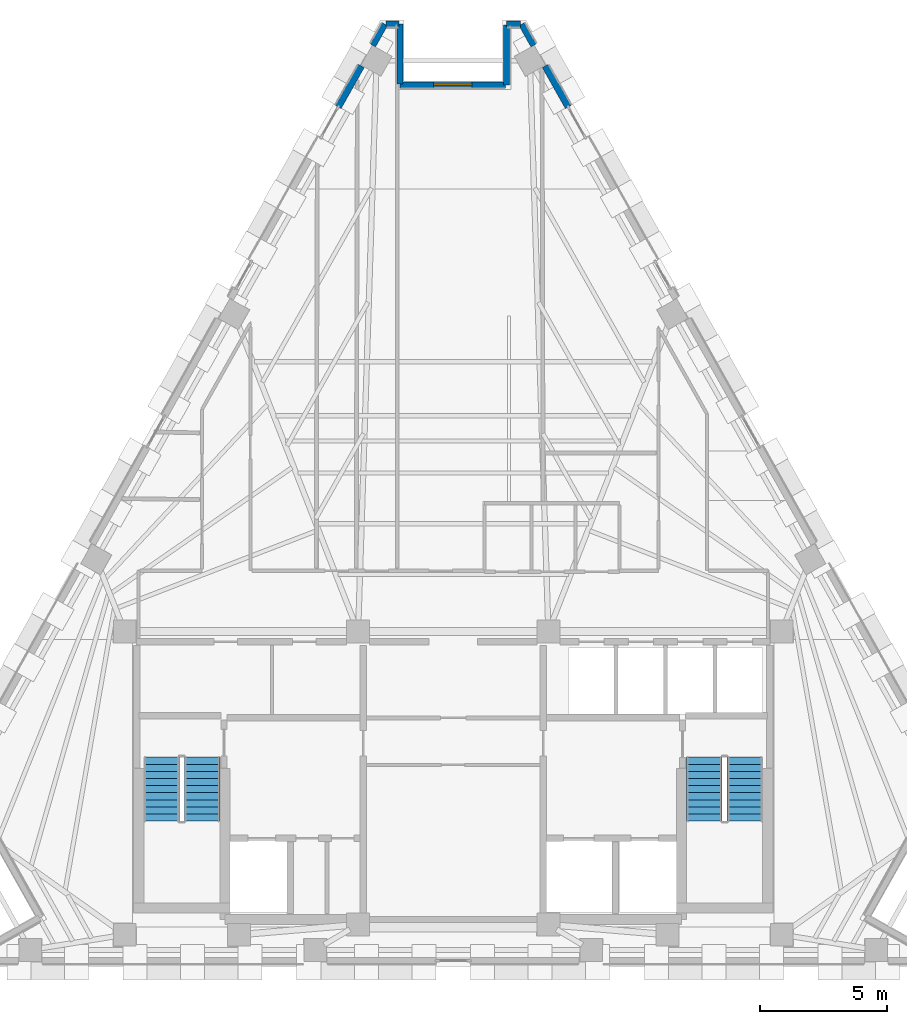
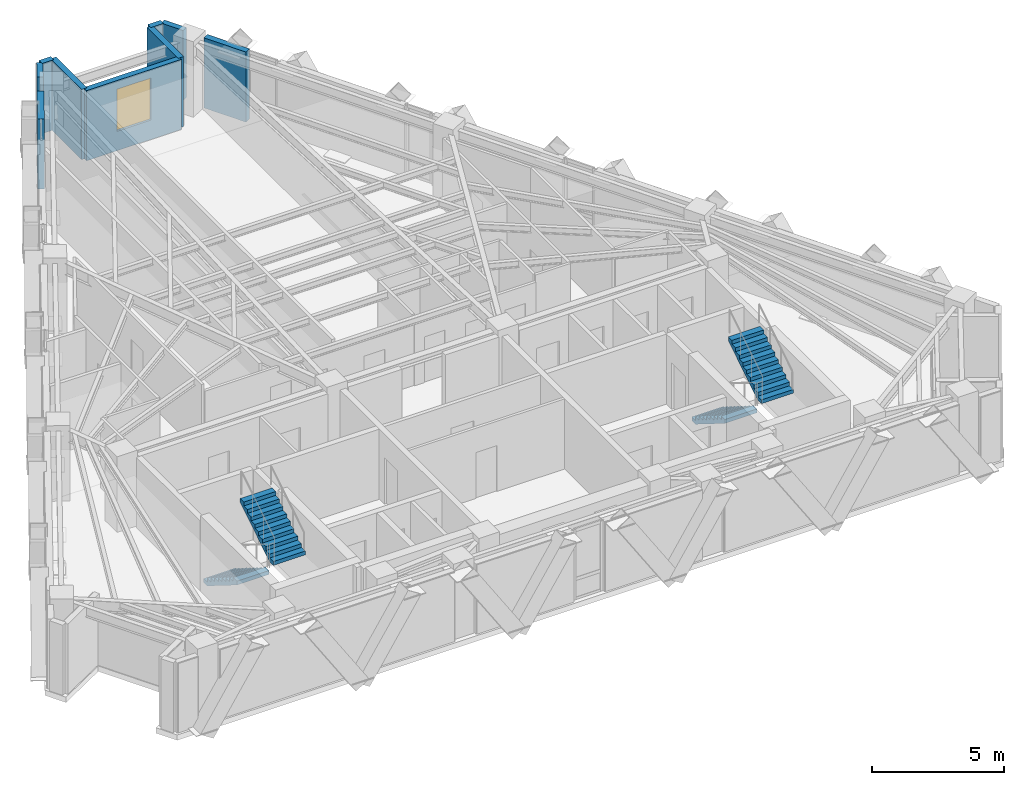
# One storey, part 9 of 12: 9 walls, 4 stair flights, 1 window, 1 opening, 2 elements without a shape of their own.
"""IFC4 building model written with IfcOpenShell, lengths in metres."""

from ifc_helpers import new_model, si_unit, direction, frame, frame_2d, origin, place, context, subcontext, project, spatial, polyline, rectangle, outline, extrude, material, layer, layer_set, type_object, element, fill, aggregate, save


model = new_model("IFC4")

# Units and contexts
model_context = context("Model", 3, precision=1e-05, world=origin(), true_north=direction((0.0, 1.0)))
body_context = subcontext(model_context, "Body", "Model", "MODEL_VIEW")
ifc_project = project(units=[si_unit("LENGTHUNIT", "METRE"), si_unit("AREAUNIT", "SQUARE_METRE"), si_unit("VOLUMEUNIT", "CUBIC_METRE"), si_unit("PLANEANGLEUNIT", "RADIAN"), si_unit("MASSUNIT", "GRAM", prefix="KILO")], contexts=[model_context])

# Site, building, storey
site_placement = place(None, origin())
site = spatial("IfcSite", under=ifc_project, at=site_placement, CompositionType="ELEMENT")
building_placement = place(site_placement, origin())
building = spatial("IfcBuilding", under=site, at=building_placement, Name="Quenlor Broadcast Tower", CompositionType="ELEMENT")
storey_placement = place(building_placement, frame((0.0, 0.0, 190.39990234375)))
storey = spatial("IfcBuildingStorey", under=building, at=storey_placement, Name="L52", CompositionType="ELEMENT", Elevation=190.39990234375)

# Walls
ifc_material_1 = material(Name="Precast concrete C40/50", Category="concrete")
ifc_layer_1 = layer(ifc_material_1, 0.239990234375)
ifc_layer_set_1 = layer_set([ifc_layer_1], Name="Terrace Threshold Precast Concrete C40/50 Wall 240")
wall_type_1 = type_object("IfcWallType", Name="Terrace Threshold Precast Concrete C40/50 Wall 240", PredefinedType="STANDARD", material=ifc_layer_set_1)
for number, where, z_axis, x_axis, name in (
    (1, (2.6953125, 19.1494140625, 0.0), (0.0, 0.0, 1.0), (0.490345412687, -0.87152818443, 0.0), "L52 Exterior Wall L52-SHD-NES0"),
    (2, (-3.16796875, 18.309326171875, 0.0), (0.0, 0.0, 1.0), (0.490345412687, 0.87152818443, 0.0), "L52 Exterior Wall L52-SHD-NWS1"),
):
    element("IfcWall", number, at=place(storey_placement, frame(where, z_axis=z_axis, x_axis=x_axis)), inside=storey, type_object=wall_type_1, Name=name, PredefinedType="STANDARD", context=body_context, shape_type="SweptSolid", body=[
        extrude(rectangle(XDim=0.9638671875, YDim=0.239990234375, at=frame_2d((0.48193359375, 0.0))), origin(), (0.0, 0.0, 1.0), 3.25),
    ])
wall_1_placement = place(storey_placement, frame((2.658447265625, 19.152099609375, 0.0), z_axis=(0.0, 0.0, 1.0), x_axis=(-1.0, 0.0, 0.0)))
element("IfcWall", 3, at=wall_1_placement, inside=storey, type_object=wall_type_1, Name="L52 Exterior Wall L52-CNR-06", PredefinedType="STANDARD", context=body_context, shape_type="SweptSolid", body=[
    extrude(rectangle(XDim=0.55224609375, YDim=0.239990234375, at=frame_2d((0.276123046875, 0.0))), origin(), (0.0, 0.0, 1.0), 3.25),
])
wall_2_placement = place(storey_placement, frame((2.106201171875, 19.112060546875, 0.0), z_axis=(0.0, 0.0, 1.0), x_axis=(0.0, -1.0, 0.0)))
element("IfcWall", 4, at=wall_2_placement, inside=storey, type_object=wall_type_1, Name="L52 Exterior Wall L52-CNR-07", PredefinedType="STANDARD", context=body_context, shape_type="SweptSolid", body=[
    extrude(rectangle(XDim=2.360107421875, YDim=0.239990234375, at=frame_2d((1.18017578125, 0.0))), origin(), (0.0, 0.0, 1.0), 3.25),
])

# Wall, opening, window
wall_3_placement = place(storey_placement, frame((2.066162109375, 16.751953125, 0.0), z_axis=(0.0, 0.0, 1.0), x_axis=(-1.0, 0.0, 0.0)))
wall_3 = element("IfcWall", 5, at=wall_3_placement, inside=storey, type_object=wall_type_1, Name="L52 Exterior Wall L52-CNR-08", PredefinedType="STANDARD", context=body_context, shape_type="SweptSolid", body=[
    extrude(rectangle(XDim=4.17236328125, YDim=0.239990234375, at=frame_2d((2.086181640625, 0.0))), origin(), (0.0, 0.0, 1.0), 3.25),
])
opening_placement = place(wall_3_placement, frame((1.3359375, 0.0, 0.89990234375)))
opening = element("IfcOpeningElement", 6, at=opening_placement, cuts=wall_3, Name="Opening WN-3", PredefinedType="OPENING", context=body_context, shape_type="SweptSolid", body=[
    extrude(rectangle(XDim=1.5, YDim=1.949951171875, at=frame_2d((0.75, 0.97509765625))), frame((0.0, 0.1298828125, 0.0), z_axis=(0.0, -1.0, 0.0), x_axis=(1.0, 0.0, 0.0)), (0.0, 0.0, 1.0), 0.260009765625),
])
ifc_material_2 = material(Name="Thermally Broken Aluminium and Low-E Glass", Category="aluminium")
window_type = type_object("IfcWindowType", Name="Upper Tower Facade Window 1500x1950", PartitioningType="SINGLE_PANEL", PredefinedType="WINDOW", material=ifc_material_2)
window_placement = place(opening_placement, origin())
window = element("IfcWindow", 7, at=window_placement, inside=storey, type_object=window_type, Name="L52 Corner Chamfer Window 8", OverallHeight=1.949951171875, OverallWidth=1.5, PartitioningType="SINGLE_PANEL", PredefinedType="WINDOW", context=body_context, shape_type="SweptSolid", body=[
    extrude(rectangle(XDim=1.5, YDim=1.949951171875, at=frame_2d((0.75, 0.97509765625))), frame((0.0, 0.030029296875, 0.0), z_axis=(0.0, -1.0, 0.0), x_axis=(1.0, 0.0, 0.0)), (0.0, 0.0, 1.0), 0.06005859375),
])
fill(opening, window)

# Walls
wall_4_placement = place(storey_placement, frame((-2.106201171875, 16.7919921875, 0.0), z_axis=(0.0, 0.0, 1.0), x_axis=(0.0, 1.0, 0.0)))
element("IfcWall", 8, at=wall_4_placement, inside=storey, type_object=wall_type_1, Name="L52 Exterior Wall L52-CNR-09", PredefinedType="STANDARD", context=body_context, shape_type="SweptSolid", body=[
    extrude(rectangle(XDim=2.360107421875, YDim=0.239990234375, at=frame_2d((1.18017578125, 0.0))), origin(), (0.0, 0.0, 1.0), 3.25),
])
wall_5_placement = place(storey_placement, frame((-2.146240234375, 19.152099609375, 0.0), z_axis=(0.0, 0.0, 1.0), x_axis=(-1.0, 0.0, 0.0)))
element("IfcWall", 9, at=wall_5_placement, inside=storey, type_object=wall_type_1, Name="L52 Exterior Wall L52-CNR-10", PredefinedType="STANDARD", context=body_context, shape_type="SweptSolid", body=[
    extrude(rectangle(XDim=0.51220703125, YDim=0.239990234375, at=frame_2d((0.256103515625, 0.0))), origin(), (0.0, 0.0, 1.0), 3.25),
])
ifc_material_3 = material(Name="Precast concrete C40/50", Category="concrete")
ifc_layer_2 = layer(ifc_material_3, 0.260009765625)
ifc_layer_set_2 = layer_set([ifc_layer_2], Name="Terracotta Precast Concrete C40/50 Upper Wall 260")
wall_type_2 = type_object("IfcWallType", Name="Terracotta Precast Concrete C40/50 Upper Wall 260", PredefinedType="STANDARD", material=ifc_layer_set_2)
for number, where, z_axis, x_axis, name in (
    (10, (3.623779296875, 17.498779296875, 0.0), (0.0, 0.0, 1.0), (0.490261239633, -0.871575537125, 0.0), "L52 Exterior Wall L52-NEA-SP1"),
    (11, (-4.533447265625, 15.881591796875, 0.0), (0.0, 0.0, 1.0), (0.490261239633, 0.871575537125, 0.0), "L52 Exterior Wall L52-NWC-SP3"),
):
    element("IfcWall", number, at=place(storey_placement, frame(where, z_axis=z_axis, x_axis=x_axis)), inside=storey, type_object=wall_type_2, Name=name, PredefinedType="STANDARD", context=body_context, shape_type="SweptSolid", body=[
        extrude(rectangle(XDim=1.85546875, YDim=0.260009765625, at=frame_2d((0.927734375, 0.0))), origin(), (0.0, 0.0, 1.0), 3.25),
    ])

# Stair, stair flights
ifc_material_4 = material(Name="Precast concrete C40/50", Category="concrete")
stair_type = type_object("IfcStairType", Name="Precast Concrete C40/50 Dogleg Stair H350", PredefinedType="HALF_TURN_STAIR", material=ifc_material_4)
stair_1_placement = place(storey_placement, origin())
stair_1 = element("IfcStair", 12, at=stair_1_placement, inside=storey, type_object=stair_type, Name="L52 West Core Fire-Isolated Exit Stair ST-1", PredefinedType="HALF_TURN_STAIR")
ifc_material_5 = material(Name="Precast concrete C40/50", Category="concrete")
ifc_layer_3 = layer(ifc_material_5, 0.159912109375)
ifc_layer_set_3 = layer_set([ifc_layer_3], Name="Precast Concrete C40/50 Stair Flight H350")
stair_flight_type = type_object("IfcStairFlightType", Name="Precast Concrete C40/50 Stair Flight H350", PredefinedType="STRAIGHT", material=ifc_layer_set_3)
stair_flight_1_placement = place(storey_placement, frame((-11.5, -9.75, 0.0), z_axis=(0.0, 0.0, 1.0), x_axis=(0.0, -1.0, 0.0)))
stair_flight_1 = element("IfcStairFlight", 13, at=stair_flight_1_placement, type_object=stair_flight_type, Name="ST-1 flight 1", NumberOfRisers=10, NumberOfTreads=9, PredefinedType="STRAIGHT", RiserHeight=0.175, TreadLength=0.28, context=body_context, shape_type="SweptSolid", body=[
    extrude(outline(polyline([(0.0, 0.0), (0.0, 0.175048828125), (0.280029296875, 0.175048828125), (0.280029296875, 0.35009765625), (0.56005859375, 0.35009765625), (0.56005859375, 0.52490234375), (0.840087890625, 0.52490234375), (0.840087890625, 0.699951171875), (1.1201171875, 0.699951171875), (1.1201171875, 0.875), (1.39990234375, 0.875), (1.39990234375, 1.050048828125), (1.679931640625, 1.050048828125), (1.679931640625, 1.22509765625), (1.9599609375, 1.22509765625), (1.9599609375, 1.39990234375), (2.239990234375, 1.39990234375), (2.239990234375, 1.574951171875), (2.52001953125, 1.574951171875), (2.52001953125, 1.75), (2.52001953125, 1.398193359375), (0.28271484375, 0.0), (0.0, 0.0)])), frame((0.0, 0.699951171875, 0.0), z_axis=(0.0, -1.0, 0.0), x_axis=(1.0, 0.0, 0.0)), (0.0, 0.0, 1.0), 1.39990234375),
])
stair_flight_2_placement = place(storey_placement, frame((-9.89990234375, -12.27001953125, 1.75), z_axis=(0.0, 0.0, 1.0), x_axis=(0.0, 1.0, 0.0)))
stair_flight_2 = element("IfcStairFlight", 14, at=stair_flight_2_placement, type_object=stair_flight_type, Name="ST-1 flight 2", NumberOfRisers=10, NumberOfTreads=9, PredefinedType="STRAIGHT", RiserHeight=0.175, TreadLength=0.28, context=body_context, shape_type="SweptSolid", body=[
    extrude(outline(polyline([(0.0, 0.0), (0.0, 0.175048828125), (0.280029296875, 0.175048828125), (0.280029296875, 0.35009765625), (0.56005859375, 0.35009765625), (0.56005859375, 0.52490234375), (0.840087890625, 0.52490234375), (0.840087890625, 0.699951171875), (1.1201171875, 0.699951171875), (1.1201171875, 0.875), (1.39990234375, 0.875), (1.39990234375, 1.050048828125), (1.679931640625, 1.050048828125), (1.679931640625, 1.22509765625), (1.9599609375, 1.22509765625), (1.9599609375, 1.39990234375), (2.239990234375, 1.39990234375), (2.239990234375, 1.574951171875), (2.52001953125, 1.574951171875), (2.52001953125, 1.75), (2.52001953125, 1.398193359375), (0.28271484375, 0.0), (0.0, 0.0)])), frame((0.0, 0.699951171875, 0.0), z_axis=(0.0, -1.0, 0.0), x_axis=(1.0, 0.0, 0.0)), (0.0, 0.0, 1.0), 1.39990234375),
])
aggregate(stair_1, [stair_flight_1, stair_flight_2])

stair_2_placement = place(storey_placement, origin())
stair_2 = element("IfcStair", 15, at=stair_2_placement, inside=storey, type_object=stair_type, Name="L52 East Core Fire-Isolated Exit Stair ST-2", PredefinedType="HALF_TURN_STAIR")
stair_flight_3_placement = place(storey_placement, frame((9.89990234375, -9.75, 0.0), z_axis=(0.0, 0.0, 1.0), x_axis=(0.0, -1.0, 0.0)))
stair_flight_3 = element("IfcStairFlight", 16, at=stair_flight_3_placement, type_object=stair_flight_type, Name="ST-2 flight 1", NumberOfRisers=10, NumberOfTreads=9, PredefinedType="STRAIGHT", RiserHeight=0.175, TreadLength=0.28, context=body_context, shape_type="SweptSolid", body=[
    extrude(outline(polyline([(0.0, 0.0), (0.0, 0.175048828125), (0.280029296875, 0.175048828125), (0.280029296875, 0.35009765625), (0.56005859375, 0.35009765625), (0.56005859375, 0.52490234375), (0.840087890625, 0.52490234375), (0.840087890625, 0.699951171875), (1.1201171875, 0.699951171875), (1.1201171875, 0.875), (1.39990234375, 0.875), (1.39990234375, 1.050048828125), (1.679931640625, 1.050048828125), (1.679931640625, 1.22509765625), (1.9599609375, 1.22509765625), (1.9599609375, 1.39990234375), (2.239990234375, 1.39990234375), (2.239990234375, 1.574951171875), (2.52001953125, 1.574951171875), (2.52001953125, 1.75), (2.52001953125, 1.398193359375), (0.28271484375, 0.0), (0.0, 0.0)])), frame((0.0, 0.699951171875, 0.0), z_axis=(0.0, -1.0, 0.0), x_axis=(1.0, 0.0, 0.0)), (0.0, 0.0, 1.0), 1.39990234375),
])
stair_flight_4_placement = place(storey_placement, frame((11.5, -12.27001953125, 1.75), z_axis=(0.0, 0.0, 1.0), x_axis=(0.0, 1.0, 0.0)))
stair_flight_4 = element("IfcStairFlight", 17, at=stair_flight_4_placement, type_object=stair_flight_type, Name="ST-2 flight 2", NumberOfRisers=10, NumberOfTreads=9, PredefinedType="STRAIGHT", RiserHeight=0.175, TreadLength=0.28, context=body_context, shape_type="SweptSolid", body=[
    extrude(outline(polyline([(0.0, 0.0), (0.0, 0.175048828125), (0.280029296875, 0.175048828125), (0.280029296875, 0.35009765625), (0.56005859375, 0.35009765625), (0.56005859375, 0.52490234375), (0.840087890625, 0.52490234375), (0.840087890625, 0.699951171875), (1.1201171875, 0.699951171875), (1.1201171875, 0.875), (1.39990234375, 0.875), (1.39990234375, 1.050048828125), (1.679931640625, 1.050048828125), (1.679931640625, 1.22509765625), (1.9599609375, 1.22509765625), (1.9599609375, 1.39990234375), (2.239990234375, 1.39990234375), (2.239990234375, 1.574951171875), (2.52001953125, 1.574951171875), (2.52001953125, 1.75), (2.52001953125, 1.398193359375), (0.28271484375, 0.0), (0.0, 0.0)])), frame((0.0, 0.699951171875, 0.0), z_axis=(0.0, -1.0, 0.0), x_axis=(1.0, 0.0, 0.0)), (0.0, 0.0, 1.0), 1.39990234375),
])
aggregate(stair_2, [stair_flight_3, stair_flight_4])

save(model, "model.ifc")
